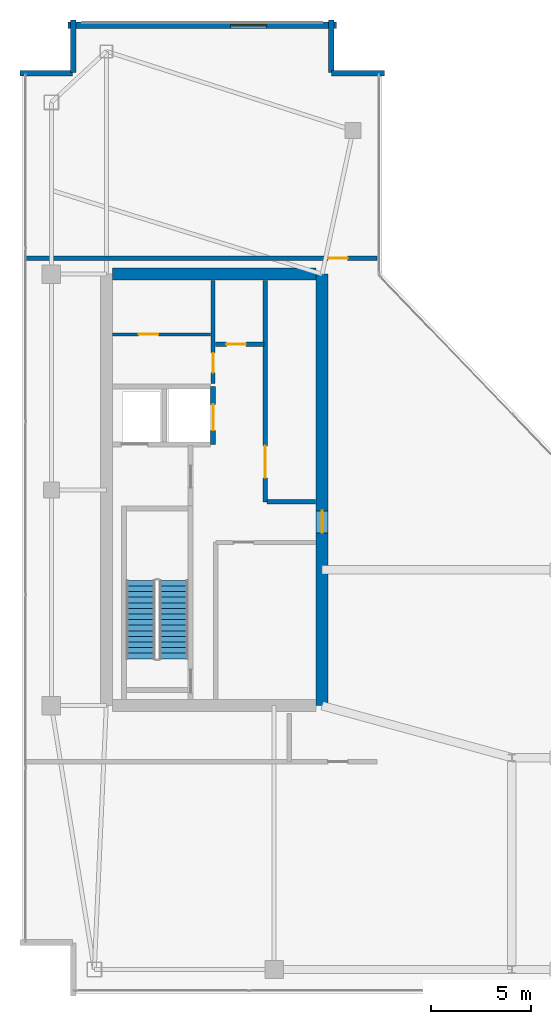
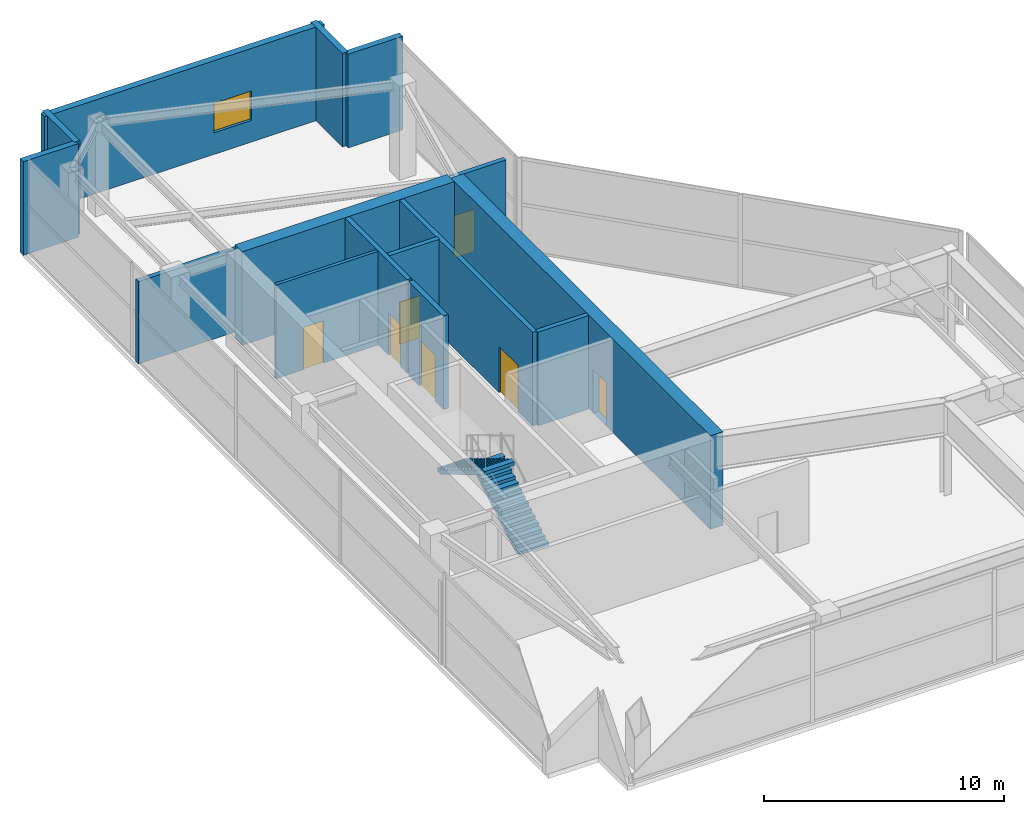
# One storey, part 20 of 22: 14 walls, 7 doors, 2 stair flights, 1 window, 8 openings, 1 element without a shape of its own.
"""IFC4 building model written with IfcOpenShell, lengths in metres."""

from ifc_helpers import new_model, si_unit, direction, frame, frame_2d, origin, place, context, subcontext, project, spatial, polyline, rectangle, outline, extrude, material, layer, layer_set, type_object, element, fill, aggregate, save


model = new_model("IFC4")

# Units and contexts
model_context = context("Model", 3, precision=1e-05, world=origin(), true_north=direction((0.0, 1.0)))
body_context = subcontext(model_context, "Body", "Model", "MODEL_VIEW")
ifc_project = project(units=[si_unit("LENGTHUNIT", "METRE"), si_unit("AREAUNIT", "SQUARE_METRE"), si_unit("VOLUMEUNIT", "CUBIC_METRE"), si_unit("PLANEANGLEUNIT", "RADIAN"), si_unit("MASSUNIT", "GRAM", prefix="KILO")], contexts=[model_context])

# Site, building, storey
site_placement = place(None, origin())
site = spatial("IfcSite", under=ifc_project, at=site_placement, CompositionType="ELEMENT")
building_placement = place(site_placement, origin())
building = spatial("IfcBuilding", under=site, at=building_placement, Name="Calvorn Quay Hotel", CompositionType="ELEMENT")
storey_placement = place(building_placement, frame((0.0, 0.0, 325.5)))
storey = spatial("IfcBuildingStorey", under=building, at=storey_placement, Name="L80", CompositionType="ELEMENT", Elevation=325.5)

# Wall, opening, door
ifc_material_1 = material(Name="Concrete C45", Category="concrete")
ifc_layer_1 = layer(ifc_material_1, 0.60009765625)
ifc_layer_set_1 = layer_set([ifc_layer_1], Name="WL-CORE-600")
wall_type_1 = type_object("IfcWallType", Name="WL-CORE-600", PredefinedType="SHEAR", material=ifc_layer_set_1)
wall_1_placement = place(storey_placement, frame((15.0, 16.800048828125, 0.0), z_axis=(0.0, 0.0, 1.0), x_axis=(0.0, 1.0, 0.0)))
wall_1 = element("IfcWall", 1, at=wall_1_placement, inside=storey, type_object=wall_type_1, Name="West Core Shear Wall E (L80)", PredefinedType="SHEAR", context=body_context, shape_type="SweptSolid", body=[
    extrude(rectangle(XDim=21.599853515625, YDim=0.60009765625, at=frame_2d((10.7998046875, 0.0))), origin(), (0.0, 0.0, 1.0), 4.760009765625),
])
opening_1_placement = place(wall_1_placement, frame((8.64990234375, 0.0, 0.0)))
opening_1 = element("IfcOpeningElement", 2, at=opening_1_placement, cuts=wall_1, Name="Opening D-L80-CW1", PredefinedType="OPENING", context=body_context, shape_type="SweptSolid", body=[
    extrude(rectangle(XDim=1.10009765625, YDim=2.199951171875, at=frame_2d((0.550048828125, 1.10009765625))), frame((0.0, 0.31005859375, 0.0), z_axis=(0.0, -1.0, 0.0), x_axis=(1.0, 0.0, 0.0)), (0.0, 0.0, 1.0), 0.6201171875),
])
ifc_material_2 = material(Name="Smoke-Sealed Steel Class A Fire Door", Category="steel")
door_type_1 = type_object("IfcDoorType", Name="DR-FFLOBBY-1100", OperationType="NOTDEFINED", PredefinedType="DOOR", material=ifc_material_2)
door_1_placement = place(opening_1_placement, origin())
door_1 = element("IfcDoor", 3, at=door_1_placement, inside=storey, type_object=door_type_1, Name="West Core Vestibule Fire Door (L80)", OperationType="SINGLE_SWING_LEFT", OverallHeight=2.199951171875, OverallWidth=1.10009765625, PredefinedType="DOOR", context=body_context, shape_type="SweptSolid", body=[
    extrude(rectangle(XDim=1.10009765625, YDim=2.199951171875, at=frame_2d((0.550048828125, 1.10009765625))), frame((0.0, 0.02490234375, 0.0), z_axis=(0.0, -1.0, 0.0), x_axis=(1.0, 0.0, 0.0)), (0.0, 0.0, 1.0), 0.050048828125),
])
fill(opening_1, door_1)

# Walls
wall_2_placement = place(storey_placement, frame((4.5, 38.39990234375, 0.0), z_axis=(0.0, 0.0, 1.0), x_axis=(1.0, 0.0, 0.0)))
element("IfcWall", 4, at=wall_2_placement, inside=storey, type_object=wall_type_1, Name="West Core Shear Wall N (L80)", PredefinedType="SHEAR", context=body_context, shape_type="SweptSolid", body=[
    extrude(rectangle(XDim=10.199951171875, YDim=0.60009765625, at=frame_2d((5.10009765625, 0.0))), origin(), (0.0, 0.0, 1.0), 4.760009765625),
])
ifc_material_3 = material(Name="Concrete C40", Category="concrete")
ifc_layer_2 = layer(ifc_material_3, 0.320068359375)
ifc_layer_set_2 = layer_set([ifc_layer_2], Name="WL-EXT-SPANDREL-320")
wall_type_2 = type_object("IfcWallType", Name="WL-EXT-SPANDREL-320", PredefinedType="SOLIDWALL", material=ifc_layer_set_2)
for number, where, z_axis, x_axis, name in (
    (5, (18.1201171875, 48.449951171875, 0.0), (0.0, 0.0, 1.0), (-1.0, 0.0, 0.0), "Crown Notched Corner Spandrel L80-C5"),
    (6, (15.449951171875, 48.47998046875, 0.0), (0.0, 0.0, 1.0), (0.0, 1.0, 0.0), "Crown Notched Corner Spandrel L80-C6"),
):
    element("IfcWall", number, at=place(storey_placement, frame(where, z_axis=z_axis, x_axis=x_axis)), inside=storey, type_object=wall_type_2, Name=name, PredefinedType="SOLIDWALL", context=body_context, shape_type="SweptSolid", body=[
        extrude(rectangle(XDim=2.64013671875, YDim=0.280029296875, at=frame_2d((1.320068359375, 0.0))), origin(), (0.0, 0.0, 1.0), 4.760009765625),
    ])

# Wall, opening, window
wall_3_placement = place(storey_placement, frame((15.719970703125, 50.85009765625, 0.0), z_axis=(0.0, 0.0, 1.0), x_axis=(-1.0, 0.0, 0.0)))
wall_3 = element("IfcWall", 7, at=wall_3_placement, inside=storey, type_object=wall_type_2, Name="Crown North Louvred Plant Wall (L80)", PredefinedType="SOLIDWALL", context=body_context, shape_type="SweptSolid", body=[
    extrude(rectangle(XDim=13.43994140625, YDim=0.320068359375, at=frame_2d((6.719970703125, 0.0))), origin(), (0.0, 0.0, 1.0), 4.760009765625),
])
opening_2_placement = place(wall_3_placement, frame((3.5, 0.0, 1.10009765625)))
opening_2 = element("IfcOpeningElement", 8, at=opening_2_placement, cuts=wall_3, Name="Opening WPL-L80-1", PredefinedType="OPENING", context=body_context, shape_type="SweptSolid", body=[
    extrude(rectangle(XDim=1.800048828125, YDim=1.5, at=frame_2d((0.89990234375, 0.75))), frame((0.0, 0.169921875, 0.0), z_axis=(0.0, -1.0, 0.0), x_axis=(1.0, 0.0, 0.0)), (0.0, 0.0, 1.0), 0.340087890625),
])
ifc_material_4 = material(Name="Acoustic Weatherproof Aluminium Louvre Unit", Category="aluminium")
window_type = type_object("IfcWindowType", Name="WIN-PLANT-LOUVRE-1800x1500", PartitioningType="SINGLE_PANEL", PredefinedType="WINDOW", material=ifc_material_4)
window_placement = place(opening_2_placement, origin())
window = element("IfcWindow", 9, at=window_placement, inside=storey, type_object=window_type, Name="Crown Plant Acoustic Louvre (L80)", OverallHeight=1.5, OverallWidth=1.800048828125, PartitioningType="SINGLE_PANEL", PredefinedType="WINDOW", context=body_context, shape_type="SweptSolid", body=[
    extrude(rectangle(XDim=1.800048828125, YDim=1.5, at=frame_2d((0.89990234375, 0.75))), frame((0.0, 0.030029296875, 0.0), z_axis=(0.0, -1.0, 0.0), x_axis=(1.0, 0.0, 0.0)), (0.0, 0.0, 1.0), 0.06005859375),
])
fill(opening_2, window)

# Walls
for number, where, z_axis, x_axis, name in (
    (10, (2.550048828125, 51.1201171875, 0.0), (0.0, 0.0, 1.0), (0.0, -1.0, 0.0), "Crown Notched Corner Spandrel L80-C7"),
    (11, (2.52001953125, 48.449951171875, 0.0), (0.0, 0.0, 1.0), (-1.0, 0.0, 0.0), "Crown Notched Corner Spandrel L80-C8"),
):
    element("IfcWall", number, at=place(storey_placement, frame(where, z_axis=z_axis, x_axis=x_axis)), inside=storey, type_object=wall_type_2, Name=name, PredefinedType="SOLIDWALL", context=body_context, shape_type="SweptSolid", body=[
        extrude(rectangle(XDim=2.64013671875, YDim=0.280029296875, at=frame_2d((1.320068359375, 0.0))), origin(), (0.0, 0.0, 1.0), 4.760009765625),
    ])

# Wall, opening, door
ifc_material_5 = material(Name="Double-Stud Acoustic Gypsum Partition")
ifc_layer_3 = layer(ifc_material_5, 0.159912109375)
ifc_layer_set_3 = layer_set([ifc_layer_3], Name="WL-INTERSUITE-160")
wall_type_3 = type_object("IfcWallType", Name="WL-INTERSUITE-160", PredefinedType="PARTITIONING", material=ifc_layer_set_3)
wall_4_placement = place(storey_placement, frame((4.52001953125, 35.3798828125, 0.0), z_axis=(0.0, 0.0, 1.0), x_axis=(1.0, 0.0, 0.0)))
wall_4 = element("IfcWall", 12, at=wall_4_placement, inside=storey, type_object=wall_type_3, Name="Partition Wall L80-WL-CWW-K-MID", PredefinedType="PARTITIONING", context=body_context, shape_type="SweptSolid", body=[
    extrude(rectangle(XDim=4.89990234375, YDim=0.159912109375, at=frame_2d((2.449951171875, 0.0))), origin(), (0.0, 0.0, 1.0), 4.760009765625),
])
opening_3_placement = place(wall_4_placement, frame((1.300048828125, 0.0, 0.0)))
opening_3 = element("IfcOpeningElement", 13, at=opening_3_placement, cuts=wall_4, Name="Opening D-L80-CK2", PredefinedType="OPENING", context=body_context, shape_type="SweptSolid", body=[
    extrude(rectangle(XDim=0.97998046875, YDim=2.14990234375, at=frame_2d((0.489990234375, 1.074951171875))), frame((0.0, 0.08984375, 0.0), z_axis=(0.0, -1.0, 0.0), x_axis=(1.0, 0.0, 0.0)), (0.0, 0.0, 1.0), 0.179931640625),
])
ifc_material_6 = material(Name="Painted Steel Housekeeping/Riser Fire Door", Category="steel")
door_type_2 = type_object("IfcDoorType", Name="DR-SERVICE-980", OperationType="NOTDEFINED", PredefinedType="DOOR", material=ifc_material_6)
door_2_placement = place(opening_3_placement, origin())
door_2 = element("IfcDoor", 14, at=door_2_placement, inside=storey, type_object=door_type_2, Name="Electrical Riser Door (L80)", OperationType="SINGLE_SWING_RIGHT", OverallHeight=2.14990234375, OverallWidth=0.97998046875, PredefinedType="DOOR", context=body_context, shape_type="SweptSolid", body=[
    extrude(rectangle(XDim=0.97998046875, YDim=2.14990234375, at=frame_2d((0.489990234375, 1.074951171875))), frame((0.0, 0.02490234375, 0.0), z_axis=(0.0, -1.0, 0.0), x_axis=(1.0, 0.0, 0.0)), (0.0, 0.0, 1.0), 0.050048828125),
])
fill(opening_3, door_2)

ifc_material_7 = material(Name="Autoclaved Aerated Masonry Block", Category="masonry")
ifc_layer_4 = layer(ifc_material_7, 0.219970703125)
ifc_layer_set_4 = layer_set([ifc_layer_4], Name="WL-LOBBY-FIRE-220")
wall_type_4 = type_object("IfcWallType", Name="WL-LOBBY-FIRE-220", PredefinedType="SOLIDWALL", material=ifc_layer_set_4)
wall_5_placement = place(storey_placement, frame((9.5400390625, 32.919921875, 0.0), z_axis=(0.0, 0.0, 1.0), x_axis=(0.0, 1.0, 0.0)))
wall_5 = element("IfcWall", 15, at=wall_5_placement, inside=storey, type_object=wall_type_4, Name="Partition Wall L80-WL-CWW-K-E", PredefinedType="SOLIDWALL", context=body_context, shape_type="SweptSolid", body=[
    extrude(rectangle(XDim=5.16015625, YDim=0.219970703125, at=frame_2d((2.580078125, 0.0))), origin(), (0.0, 0.0, 1.0), 4.760009765625),
])
opening_4_placement = place(wall_5_placement, frame((0.550048828125, 0.0, 0.0)))
opening_4 = element("IfcOpeningElement", 16, at=opening_4_placement, cuts=wall_5, Name="Opening D-L80-CK1", PredefinedType="OPENING", context=body_context, shape_type="SweptSolid", body=[
    extrude(rectangle(XDim=0.97998046875, YDim=2.14990234375, at=frame_2d((0.489990234375, 1.074951171875))), frame((0.0, 0.119873046875, 0.0), z_axis=(0.0, -1.0, 0.0), x_axis=(1.0, 0.0, 0.0)), (0.0, 0.0, 1.0), 0.239990234375),
])
door_3_placement = place(opening_4_placement, origin())
door_3 = element("IfcDoor", 17, at=door_3_placement, inside=storey, type_object=door_type_2, Name="Core Housekeeping Door (L80)", OperationType="SINGLE_SWING_LEFT", OverallHeight=2.14990234375, OverallWidth=0.97998046875, PredefinedType="DOOR", context=body_context, shape_type="SweptSolid", body=[
    extrude(rectangle(XDim=0.97998046875, YDim=2.14990234375, at=frame_2d((0.489990234375, 1.074951171875))), frame((0.0, 0.02490234375, 0.0), z_axis=(0.0, -1.0, 0.0), x_axis=(1.0, 0.0, 0.0)), (0.0, 0.0, 1.0), 0.050048828125),
])
fill(opening_4, door_3)

wall_6_placement = place(storey_placement, frame((12.14990234375, 27.0, 0.0), z_axis=(0.0, 0.0, 1.0), x_axis=(0.0, 1.0, 0.0)))
wall_6 = element("IfcWall", 18, at=wall_6_placement, inside=storey, type_object=wall_type_4, Name="Partition Wall L80-WL-CWW-OV-W", PredefinedType="SOLIDWALL", context=body_context, shape_type="SweptSolid", body=[
    extrude(rectangle(XDim=11.080078125, YDim=0.219970703125, at=frame_2d((5.5400390625, 0.0))), origin(), (0.0, 0.0, 1.0), 4.760009765625),
])
opening_5_placement = place(wall_6_placement, frame((1.199951171875, 0.0, 0.0)))
opening_5 = element("IfcOpeningElement", 19, at=opening_5_placement, cuts=wall_6, Name="Opening D-L80-OV1", PredefinedType="OPENING", context=body_context, shape_type="SweptSolid", body=[
    extrude(rectangle(XDim=1.60009765625, YDim=2.35009765625, at=frame_2d((0.800048828125, 1.175048828125))), frame((0.0, 0.119873046875, 0.0), z_axis=(0.0, -1.0, 0.0), x_axis=(1.0, 0.0, 0.0)), (0.0, 0.0, 1.0), 0.239990234375),
])
ifc_material_8 = material(Name="Heavy-Duty Steel Acoustic Plant Fire Door", Category="steel")
door_type_3 = type_object("IfcDoorType", Name="DR-PLANT-DBL-1600", OperationType="NOTDEFINED", PredefinedType="DOOR", material=ifc_material_8)
door_4_placement = place(opening_5_placement, origin())
door_4 = element("IfcDoor", 20, at=door_4_placement, inside=storey, type_object=door_type_3, Name="Lift Machine Plant Door (L80)", OperationType="SINGLE_SWING_LEFT", OverallHeight=2.35009765625, OverallWidth=1.60009765625, PredefinedType="DOOR", context=body_context, shape_type="SweptSolid", body=[
    extrude(rectangle(XDim=1.60009765625, YDim=2.35009765625, at=frame_2d((0.800048828125, 1.175048828125))), frame((0.0, 0.02490234375, 0.0), z_axis=(0.0, -1.0, 0.0), x_axis=(1.0, 0.0, 0.0)), (0.0, 0.0, 1.0), 0.050048828125),
])
fill(opening_5, door_4)

# Wall
wall_7_placement = place(storey_placement, frame((12.25, 27.0, 0.0), z_axis=(0.0, 0.0, 1.0), x_axis=(1.0, 0.0, 0.0)))
element("IfcWall", 21, at=wall_7_placement, inside=storey, type_object=wall_type_4, Name="Partition Wall L80-WL-CWW-OV-S", PredefinedType="SOLIDWALL", context=body_context, shape_type="SweptSolid", body=[
    extrude(rectangle(XDim=2.429931640625, YDim=0.219970703125, at=frame_2d((1.21484375, 0.0))), origin(), (0.0, 0.0, 1.0), 4.760009765625),
])

# Wall, opening, door
wall_8_placement = place(storey_placement, frame((9.659912109375, 34.89990234375, 0.0), z_axis=(0.0, 0.0, 1.0), x_axis=(1.0, 0.0, 0.0)))
wall_8 = element("IfcWall", 22, at=wall_8_placement, inside=storey, type_object=wall_type_4, Name="Partition Wall L80-WL-CWW-OV-H2S", PredefinedType="SOLIDWALL", context=body_context, shape_type="SweptSolid", body=[
    extrude(rectangle(XDim=2.420166015625, YDim=0.219970703125, at=frame_2d((1.2099609375, 0.0))), origin(), (0.0, 0.0, 1.0), 4.760009765625),
])
opening_6_placement = place(wall_8_placement, frame((0.550048828125, 0.0, 0.0)))
opening_6 = element("IfcOpeningElement", 23, at=opening_6_placement, cuts=wall_8, Name="Opening D-L80-OV2", PredefinedType="OPENING", context=body_context, shape_type="SweptSolid", body=[
    extrude(rectangle(XDim=0.97998046875, YDim=2.14990234375, at=frame_2d((0.489990234375, 1.074951171875))), frame((0.0, 0.119873046875, 0.0), z_axis=(0.0, -1.0, 0.0), x_axis=(1.0, 0.0, 0.0)), (0.0, 0.0, 1.0), 0.239990234375),
])
door_5_placement = place(opening_6_placement, origin())
door_5 = element("IfcDoor", 24, at=door_5_placement, inside=storey, type_object=door_type_2, Name="Pressurization Closet Door (L80)", OperationType="SINGLE_SWING_RIGHT", OverallHeight=2.14990234375, OverallWidth=0.97998046875, PredefinedType="DOOR", context=body_context, shape_type="SweptSolid", body=[
    extrude(rectangle(XDim=0.97998046875, YDim=2.14990234375, at=frame_2d((0.489990234375, 1.074951171875))), frame((0.0, 0.02490234375, 0.0), z_axis=(0.0, -1.0, 0.0), x_axis=(1.0, 0.0, 0.0)), (0.0, 0.0, 1.0), 0.050048828125),
])
fill(opening_6, door_5)

wall_9_placement = place(storey_placement, frame((0.080078125, 39.199951171875, 0.0), z_axis=(0.0, 0.0, 1.0), x_axis=(1.0, 0.0, 0.0)))
wall_9 = element("IfcWall", 25, at=wall_9_placement, inside=storey, type_object=wall_type_4, Name="Partition Wall L80-WL-CR-N", PredefinedType="SOLIDWALL", context=body_context, shape_type="SweptSolid", body=[
    extrude(rectangle(XDim=17.669921875, YDim=0.219970703125, at=frame_2d((8.8349609375, 0.0))), origin(), (0.0, 0.0, 1.0), 4.18994140625),
])
opening_7_placement = place(wall_9_placement, frame((15.219970703125, 0.0, 0.0)))
opening_7 = element("IfcOpeningElement", 26, at=opening_7_placement, cuts=wall_9, Name="Opening D-L80-C2", PredefinedType="OPENING", context=body_context, shape_type="SweptSolid", body=[
    extrude(rectangle(XDim=0.97998046875, YDim=2.14990234375, at=frame_2d((0.489990234375, 1.074951171875))), frame((0.0, 0.119873046875, 0.0), z_axis=(0.0, -1.0, 0.0), x_axis=(1.0, 0.0, 0.0)), (0.0, 0.0, 1.0), 0.239990234375),
])
door_6_placement = place(opening_7_placement, origin())
door_6 = element("IfcDoor", 27, at=door_6_placement, inside=storey, type_object=door_type_2, Name="Pressurization Plant Room Door", OperationType="SINGLE_SWING_RIGHT", OverallHeight=2.14990234375, OverallWidth=0.97998046875, PredefinedType="DOOR", context=body_context, shape_type="SweptSolid", body=[
    extrude(rectangle(XDim=0.97998046875, YDim=2.14990234375, at=frame_2d((0.489990234375, 1.074951171875))), frame((0.0, 0.02490234375, 0.0), z_axis=(0.0, -1.0, 0.0), x_axis=(1.0, 0.0, 0.0)), (0.0, 0.0, 1.0), 0.050048828125),
])
fill(opening_7, door_6)

ifc_material_9 = material(Name="Concrete C40", Category="concrete")
ifc_layer_5 = layer(ifc_material_9, 0.239990234375)
ifc_layer_set_5 = layer_set([ifc_layer_5], Name="WL-SHAFT-240")
wall_type_5 = type_object("IfcWallType", Name="WL-SHAFT-240", PredefinedType="SOLIDWALL", material=ifc_layer_set_5)
wall_10_placement = place(storey_placement, frame((9.5400390625, 29.8798828125, 0.0), z_axis=(0.0, 0.0, 1.0), x_axis=(0.0, 1.0, 0.0)))
wall_10 = element("IfcWall", 28, at=wall_10_placement, inside=storey, type_object=wall_type_5, Name="Partition Wall L80-WL-CWW-SLW-E", PredefinedType="SOLIDWALL", context=body_context, shape_type="SweptSolid", body=[
    extrude(rectangle(XDim=2.900146484375, YDim=0.239990234375, at=frame_2d((1.4501953125, 0.0))), origin(), (0.0, 0.0, 1.0), 4.760009765625),
])
opening_8_placement = place(wall_10_placement, frame((0.699951171875, 0.0, 0.0)))
opening_8 = element("IfcOpeningElement", 29, at=opening_8_placement, cuts=wall_10, Name="Opening LD-L80-SLW1", PredefinedType="OPENING", context=body_context, shape_type="SweptSolid", body=[
    extrude(rectangle(XDim=1.300048828125, YDim=2.35009765625, at=frame_2d((0.64990234375, 1.175048828125))), frame((0.0, 0.1298828125, 0.0), z_axis=(0.0, -1.0, 0.0), x_axis=(1.0, 0.0, 0.0)), (0.0, 0.0, 1.0), 0.260009765625),
])
ifc_material_10 = material(Name="Champagne-Bronze Sliding Express Lift Landing Door")
door_type_4 = type_object("IfcDoorType", Name="DR-LIFT-SHUTTLE-1300", OperationType="NOTDEFINED", PredefinedType="DOOR", material=ifc_material_10)
door_7_placement = place(opening_8_placement, origin())
door_7 = element("IfcDoor", 30, at=door_7_placement, inside=storey, type_object=door_type_4, Name="Service Lift SL-W1 Landing Door (L80)", OperationType="DOUBLE_DOOR_SLIDING", OverallHeight=2.35009765625, OverallWidth=1.300048828125, PredefinedType="DOOR", context=body_context, shape_type="SweptSolid", body=[
    extrude(rectangle(XDim=1.300048828125, YDim=2.35009765625, at=frame_2d((0.64990234375, 1.175048828125))), frame((0.0, 0.02490234375, 0.0), z_axis=(0.0, -1.0, 0.0), x_axis=(1.0, 0.0, 0.0)), (0.0, 0.0, 1.0), 0.050048828125),
])
fill(opening_8, door_7)

# Stair, stair flights
ifc_material_11 = material(Name="Concrete C40", Category="concrete")
stair_type = type_object("IfcStairType", Name="STR-CORE-DOGLEG", PredefinedType="HALF_TURN_STAIR", material=ifc_material_11)
stair_placement = place(storey_placement, origin())
stair = element("IfcStair", 31, at=stair_placement, inside=storey, type_object=stair_type, Name="L80 ST-W", PredefinedType="HALF_TURN_STAIR")
ifc_material_12 = material(Name="Concrete C40", Category="concrete")
stair_flight_type = type_object("IfcStairFlightType", Name="FLT-CORE-1550", PredefinedType="STRAIGHT", material=ifc_material_12)
stair_flight_1_placement = place(storey_placement, frame((7.574951171875, 19.14990234375, 0.0), z_axis=(0.0, 0.0, 1.0), x_axis=(0.0, 1.0, 0.0)))
stair_flight_1 = element("IfcStairFlight", 32, at=stair_flight_1_placement, type_object=stair_flight_type, Name="ST-W flight 1", NumberOfRisers=15, NumberOfTreads=14, PredefinedType="STRAIGHT", RiserHeight=0.166666667, TreadLength=0.28, context=body_context, shape_type="SweptSolid", body=[
    extrude(outline(polyline([(0.0, 0.0), (0.0, 0.166748046875), (0.280029296875, 0.166748046875), (0.280029296875, 0.333251953125), (0.56005859375, 0.333251953125), (0.56005859375, 0.5), (0.840087890625, 0.5), (0.840087890625, 0.666748046875), (1.1201171875, 0.666748046875), (1.1201171875, 0.833251953125), (1.39990234375, 0.833251953125), (1.39990234375, 1.0), (1.679931640625, 1.0), (1.679931640625, 1.166748046875), (1.9599609375, 1.166748046875), (1.9599609375, 1.333251953125), (2.239990234375, 1.333251953125), (2.239990234375, 1.5), (2.52001953125, 1.5), (2.52001953125, 1.666748046875), (2.800048828125, 1.666748046875), (2.800048828125, 1.833251953125), (3.080078125, 1.833251953125), (3.080078125, 2.0), (3.360107421875, 2.0), (3.360107421875, 2.166748046875), (3.639892578125, 2.166748046875), (3.639892578125, 2.333251953125), (3.919921875, 2.333251953125), (3.919921875, 2.5), (3.919921875, 2.158935546875), (0.29296875, 0.0), (0.0, 0.0)])), frame((0.0, 0.72509765625, 0.0), z_axis=(0.0, -1.0, 0.0), x_axis=(1.0, 0.0, 0.0)), (0.0, 0.0, 1.0), 1.449951171875),
])
stair_flight_2_placement = place(storey_placement, frame((5.925048828125, 23.070068359375, 2.5), z_axis=(0.0, 0.0, 1.0), x_axis=(0.0, -1.0, 0.0)))
stair_flight_2 = element("IfcStairFlight", 33, at=stair_flight_2_placement, type_object=stair_flight_type, Name="ST-W flight 2", NumberOfRisers=15, NumberOfTreads=14, PredefinedType="STRAIGHT", RiserHeight=0.166666667, TreadLength=0.28, context=body_context, shape_type="SweptSolid", body=[
    extrude(outline(polyline([(0.0, 0.0), (0.0, 0.166748046875), (0.280029296875, 0.166748046875), (0.280029296875, 0.333251953125), (0.56005859375, 0.333251953125), (0.56005859375, 0.5), (0.840087890625, 0.5), (0.840087890625, 0.666748046875), (1.1201171875, 0.666748046875), (1.1201171875, 0.833251953125), (1.39990234375, 0.833251953125), (1.39990234375, 1.0), (1.679931640625, 1.0), (1.679931640625, 1.166748046875), (1.9599609375, 1.166748046875), (1.9599609375, 1.333251953125), (2.239990234375, 1.333251953125), (2.239990234375, 1.5), (2.52001953125, 1.5), (2.52001953125, 1.666748046875), (2.800048828125, 1.666748046875), (2.800048828125, 1.833251953125), (3.080078125, 1.833251953125), (3.080078125, 2.0), (3.360107421875, 2.0), (3.360107421875, 2.166748046875), (3.639892578125, 2.166748046875), (3.639892578125, 2.333251953125), (3.919921875, 2.333251953125), (3.919921875, 2.5), (3.919921875, 2.158935546875), (0.29296875, 0.0), (0.0, 0.0)])), frame((0.0, 0.72509765625, 0.0), z_axis=(0.0, -1.0, 0.0), x_axis=(1.0, 0.0, 0.0)), (0.0, 0.0, 1.0), 1.449951171875),
])
aggregate(stair, [stair_flight_1, stair_flight_2])

save(model, "model.ifc")
